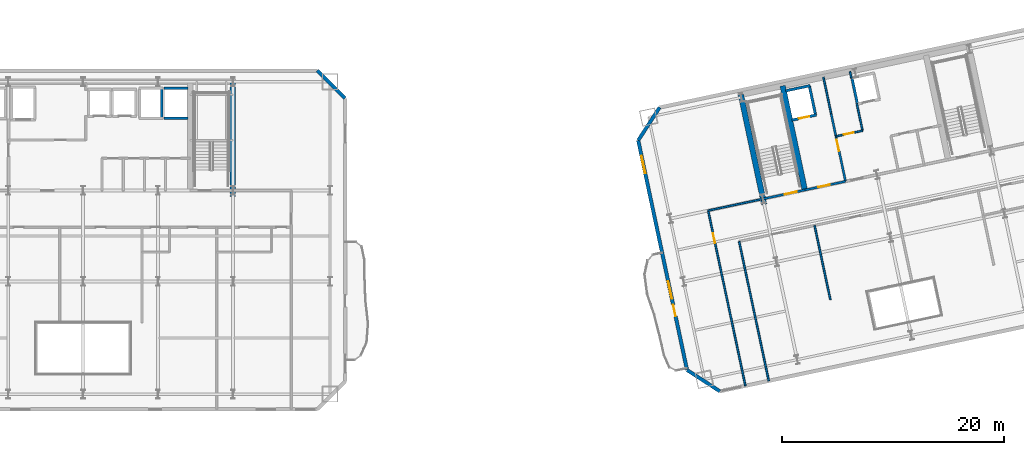
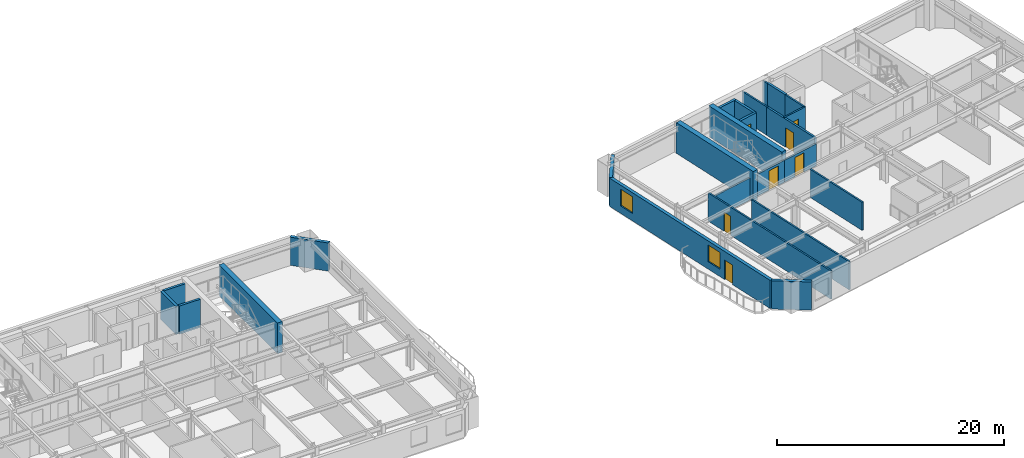
# One storey, part 7 of 13: 25 walls, 7 doors, 2 windows, 9 openings.
"""IFC4 building model written with IfcOpenShell, lengths in metres."""

import ifcopenshell
import ifcopenshell.guid

model = None  # the IFC model being written
_history = None  # IfcOwnerHistory: only IFC2X3 demands one
_inside = {}  # id of a spatial element -> (the spatial element, [elements in it])
_under = {}  # id of a project, library or spatial element -> (it, [spatial elements below it])
_declared = {}  # id of a project -> (the project, [libraries it declares])
_typed = {}  # id of a type object -> (the type object, [elements of that type])
_made_of = {}  # id of a material, layer set ... -> (it, [elements and type objects made of it])


def new_model(schema):
    """Start an empty IFC model of exactly this schema.

    Asked for "IFC4X3", IfcOpenShell would pick the latest addendum, in which some entities
    have other attributes; the version numbers below select the first issue.
    IFC2X3 requires an IfcOwnerHistory on every rooted entity: one is made here for all.
    """
    global model, _history
    if schema == "IFC4X3":
        model = ifcopenshell.file(schema_version=(4, 3, 0, 0))
    else:
        model = ifcopenshell.file(schema=schema)
    _inside.clear()
    _under.clear()
    _declared.clear()
    _typed.clear()
    _made_of.clear()
    _history = None
    if model.schema == "IFC2X3":
        org = make("IfcOrganization", Name="unknown")
        user = make(
            "IfcPersonAndOrganization",
            ThePerson=make("IfcPerson", FamilyName="unknown"),
            TheOrganization=org,
        )
        app = make(
            "IfcApplication",
            ApplicationDeveloper=org,
            Version="unknown",
            ApplicationFullName="unknown",
            ApplicationIdentifier="unknown",
        )
        _history = make(
            "IfcOwnerHistory",
            OwningUser=user,
            OwningApplication=app,
            ChangeAction="ADDED",
            CreationDate=0,
        )
    return model


def make(cls, **values):
    """One entity of the class cls with the attributes given. An attribute that is None is left unset."""
    return model.create_entity(
        cls, **{name: value for name, value in values.items() if value is not None}
    )


def rooted(cls, **values):
    """An entity with a GlobalId (a new one), such as an element, a storey or a relation."""
    return make(cls, GlobalId=ifcopenshell.guid.new(), OwnerHistory=_history, **values)


def si_unit(unit_type, name, prefix=None):
    """IfcSIUnit, for example si_unit("LENGTHUNIT", "METRE", prefix="MILLI")."""
    return make("IfcSIUnit", UnitType=unit_type, Prefix=prefix, Name=name)


def assignment(units):
    """IfcUnitAssignment: the units of a project."""
    return None if units is None else make("IfcUnitAssignment", Units=units)


def point(xyz):
    """IfcCartesianPoint."""
    return None if xyz is None else make("IfcCartesianPoint", Coordinates=xyz)


def direction(xyz):
    """IfcDirection."""
    return None if xyz is None else make("IfcDirection", DirectionRatios=xyz)


def frame(location, z_axis=None, x_axis=None):
    """IfcAxis2Placement3D, a coordinate frame: its origin and axes. An axis left out is left unset."""
    return make(
        "IfcAxis2Placement3D",
        Location=point(location),
        Axis=direction(z_axis),
        RefDirection=direction(x_axis),
    )


def frame_2d(location, x_axis=None):
    """IfcAxis2Placement2D, a coordinate frame in the plane: its origin and x axis."""
    return make(
        "IfcAxis2Placement2D", Location=point(location), RefDirection=direction(x_axis)
    )


def origin():
    """The frame at (0, 0, 0) with its axes left unset."""
    return frame((0.0, 0.0, 0.0))


def place(relative_to, where):
    """IfcLocalPlacement: puts the frame where relative to a parent placement (None: the world)."""
    return make(
        "IfcLocalPlacement", PlacementRelTo=relative_to, RelativePlacement=where
    )


def context(
    kind, dimensions, precision=None, world=None, true_north=None, identifier=None
):
    """IfcGeometricRepresentationContext, for example the 3D "Model" context."""
    return make(
        "IfcGeometricRepresentationContext",
        ContextIdentifier=identifier,
        ContextType=kind,
        CoordinateSpaceDimension=dimensions,
        Precision=precision,
        WorldCoordinateSystem=world,
        TrueNorth=true_north,
    )


def subcontext(parent, identifier, kind, view, scale=None):
    """IfcGeometricRepresentationSubContext, for example "Body" below "Model"."""
    return make(
        "IfcGeometricRepresentationSubContext",
        ContextIdentifier=identifier,
        ContextType=kind,
        ParentContext=parent,
        TargetScale=scale,
        TargetView=view,
    )


def project(units=None, contexts=None):
    """IfcProject with its units and contexts."""
    return rooted(
        "IfcProject",
        Name="project",
        RepresentationContexts=contexts,
        UnitsInContext=assignment(units),
    )


def spatial(cls, under=None, at=None, **own):
    """A site, building, storey or space (cls), placed at a placement, below another one or the project."""
    s = rooted(cls, ObjectPlacement=at, **own)
    if under is not None:
        _under.setdefault(under.id(), (under, []))[1].append(s)
    return s


def profile(cls, at=None, kind="AREA", **sizes):
    """A parametric profile (cls). Its sizes go by their IFC names, for example OverallWidth=200.0."""
    return make(cls, ProfileType=kind, Position=at, **sizes)


def rectangle(**sizes):
    """IfcRectangleProfileDef."""
    return profile("IfcRectangleProfileDef", **sizes)


def extrude(swept, where, along, depth):
    """IfcExtrudedAreaSolid: the profile swept, set in the frame where, extruded along a direction by depth."""
    return make(
        "IfcExtrudedAreaSolid",
        SweptArea=swept,
        Position=where,
        ExtrudedDirection=direction(along),
        Depth=depth,
    )


def shape(context_of_items, identifier, shape_type, items):
    """IfcShapeRepresentation: the items that make up one representation, for example the "Body"."""
    return make(
        "IfcShapeRepresentation",
        ContextOfItems=context_of_items,
        RepresentationIdentifier=identifier,
        RepresentationType=shape_type,
        Items=items,
    )


def material(Name=None, Category=None):
    """IfcMaterial."""
    return make("IfcMaterial", Name=Name, Category=Category)


def layer(
    of_material, thickness, ventilated=None, Name=None, Category=None, Priority=None
):
    """IfcMaterialLayer: one layer of a wall or slab, of a material (None: an air gap)."""
    return make(
        "IfcMaterialLayer",
        Material=of_material,
        LayerThickness=thickness,
        IsVentilated=ventilated,
        Name=Name,
        Category=Category,
        Priority=Priority,
    )


def layer_set(layers, Name=None):
    """IfcMaterialLayerSet."""
    return make("IfcMaterialLayerSet", MaterialLayers=layers, LayerSetName=Name)


def made_of(thing, what):
    """Note that an element or type object is made of a material, layer set ...; save() writes the relation."""
    if what is not None:
        _made_of.setdefault(what.id(), (what, []))[1].append(thing)
    return thing


def type_object(cls, material=None, **own):
    """A type object (cls), such as IfcWallType, which elements share."""
    return made_of(rooted(cls, **own), material)


def element(
    cls,
    number,
    at=None,
    inside=None,
    cuts=None,
    type_object=None,
    material=None,
    context=None,
    identifier="Body",
    shape_type=None,
    held_by="IfcProductDefinitionShape",
    body=None,
    shapes=None,
    **own,
):
    """One element of the class cls, such as IfcWall. Its Tag is "e" and its number.

    at: its placement. inside: the storey or other place that contains it. cuts: it is an
    opening in that element (IfcRelVoidsElement). A single representation is given by context,
    identifier, shape_type and body (its items); several are given by shapes. held_by: the class
    of the entity that holds the representations. save() writes the other relations.
    """
    e = rooted(cls, Tag="e%d" % number, ObjectPlacement=at, **own)
    if body is not None:
        shapes = [shape(context, identifier, shape_type, body)]
    if shapes is not None:
        e.Representation = make(held_by, Representations=shapes)
    if inside is not None:
        _inside.setdefault(inside.id(), (inside, []))[1].append(e)
    if cuts is not None:
        rooted(
            "IfcRelVoidsElement", RelatingBuildingElement=cuts, RelatedOpeningElement=e
        )
    if type_object is not None:
        _typed.setdefault(type_object.id(), (type_object, []))[1].append(e)
    return made_of(e, material)


def fill(opening, filler):
    """IfcRelFillsElement: the door or window that sits in an opening."""
    return rooted(
        "IfcRelFillsElement",
        RelatingOpeningElement=opening,
        RelatedBuildingElement=filler,
    )


def aggregate(whole, parts):
    """IfcRelAggregates: a whole, such as a stair, and the parts it consists of."""
    return rooted("IfcRelAggregates", RelatingObject=whole, RelatedObjects=parts)


def save(model, path):
    """Write the relations noted so far, then the file.

    IfcRelAggregates (storeys below a building ...), IfcRelContainedInSpatialStructure (elements
    in a storey), IfcRelDefinesByType, IfcRelAssociatesMaterial and IfcRelDeclares: one each for
    every whole, place, type object, material and project.
    """
    for whole, parts in _under.values():
        aggregate(whole, parts)
    for where, things in _inside.values():
        rooted(
            "IfcRelContainedInSpatialStructure",
            RelatedElements=things,
            RelatingStructure=where,
        )
    for kind, things in _typed.values():
        rooted("IfcRelDefinesByType", RelatedObjects=things, RelatingType=kind)
    for what, things in _made_of.values():
        rooted("IfcRelAssociatesMaterial", RelatedObjects=things, RelatingMaterial=what)
    for by, libraries in _declared.values():
        rooted("IfcRelDeclares", RelatingContext=by, RelatedDefinitions=libraries)
    model.write(path)


model = new_model("IFC4")

# Units and contexts
model_context = context("Model", 3, precision=1e-05, world=origin(), true_north=direction((0.0, 1.0)))
body_context = subcontext(model_context, "Body", "Model", "MODEL_VIEW")
ifc_project = project(units=[si_unit("LENGTHUNIT", "METRE"), si_unit("AREAUNIT", "SQUARE_METRE"), si_unit("VOLUMEUNIT", "CUBIC_METRE"), si_unit("PLANEANGLEUNIT", "RADIAN"), si_unit("MASSUNIT", "GRAM", prefix="KILO")], contexts=[model_context])

# Site, building, storey
site_placement = place(None, origin())
site = spatial("IfcSite", under=ifc_project, at=site_placement, CompositionType="ELEMENT")
building_placement = place(site_placement, origin())
building = spatial("IfcBuilding", under=site, at=building_placement, Name="Haevon Station Towers", CompositionType="ELEMENT")
storey_placement = place(building_placement, frame((0.0, 0.0, 96.60009765625)))
storey = spatial("IfcBuildingStorey", under=building, at=storey_placement, Name="L25", CompositionType="ELEMENT", Elevation=96.60009765625)

# Wall, opening, door
ifc_material_1 = material(Name="Gypsum board on steel stud", Category="steel")
ifc_layer_1 = layer(ifc_material_1, 0.199951171875)
ifc_layer_set_1 = layer_set([ifc_layer_1], Name="Gypsum board on steel stud")
wall_type_1 = type_object("IfcWallType", Name="WL-COR200", PredefinedType="PARTITIONING", material=ifc_layer_set_1)
wall_1_placement = place(storey_placement, frame((98.75244140625, 37.4423828125, 0.0), z_axis=(0.0, 0.0, 1.0), x_axis=(0.978143537786, 0.207930804564, 0.0)))
wall_1 = element("IfcWall", 1, at=wall_1_placement, inside=storey, type_object=wall_type_1, Name="WL-ST-ST3-L25", PredefinedType="PARTITIONING", context=body_context, shape_type="SweptSolid", body=[
    extrude(rectangle(XDim=3.85009765625, YDim=0.199951171875, at=frame_2d((1.925048828125, 0.0))), origin(), (0.0, 0.0, 1.0), 2.3798828125),
])
opening_1_placement = place(wall_1_placement, frame((2.0, 0.0, 0.0)))
opening_1 = element("IfcOpeningElement", 2, at=opening_1_placement, cuts=wall_1, Name="Opening DR-ST-ST3-L25", PredefinedType="OPENING", context=body_context, shape_type="SweptSolid", body=[
    extrude(rectangle(XDim=1.1201171875, YDim=2.10009765625, at=frame_2d((0.56005859375, 1.050048828125))), frame((0.0, 0.10986328125, 0.0), z_axis=(0.0, -1.0, 0.0), x_axis=(1.0, 0.0, 0.0)), (0.0, 0.0, 1.0), 0.219970703125),
])
ifc_material_2 = material(Name="Engineered oak timber", Category="wood")
door_type_1 = type_object("IfcDoorType", Name="DR-ST-1120", OperationType="NOTDEFINED", PredefinedType="DOOR", material=ifc_material_2)
door_1_placement = place(opening_1_placement, origin())
door_1 = element("IfcDoor", 3, at=door_1_placement, inside=storey, type_object=door_type_1, Name="L25 Escape Stair ST3 Fire Door", OperationType="SINGLE_SWING_RIGHT", OverallHeight=2.10009765625, OverallWidth=1.1201171875, PredefinedType="DOOR", context=body_context, shape_type="SweptSolid", body=[
    extrude(rectangle(XDim=1.1201171875, YDim=2.10009765625, at=frame_2d((0.56005859375, 1.050048828125))), frame((0.0, 0.02490234375, 0.0), z_axis=(0.0, -1.0, 0.0), x_axis=(1.0, 0.0, 0.0)), (0.0, 0.0, 1.0), 0.050048828125),
])
fill(opening_1, door_1)

wall_2_placement = place(storey_placement, frame((106.186279296875, 39.0224609375, 0.0), z_axis=(0.0, 0.0, 1.0), x_axis=(-0.207916691923, 0.978146537703, 0.0)))
wall_2 = element("IfcWall", 4, at=wall_2_placement, inside=storey, type_object=wall_type_1, Name="WL-T2FFL-L25-E", PredefinedType="PARTITIONING", context=body_context, shape_type="SweptSolid", body=[
    extrude(rectangle(XDim=6.35009765625, YDim=0.199951171875, at=frame_2d((3.175048828125, 0.0))), origin(), (0.0, 0.0, 1.0), 3.02978515625),
])
opening_2_placement = place(wall_2_placement, frame((2.800048828125, 0.0, 0.0)))
opening_2 = element("IfcOpeningElement", 5, at=opening_2_placement, cuts=wall_2, Name="Opening DR-T2FFL-L25-E", PredefinedType="OPENING", context=body_context, shape_type="SweptSolid", body=[
    extrude(rectangle(XDim=1.050048828125, YDim=2.10009765625, at=frame_2d((0.52490234375, 1.050048828125))), frame((0.0, 0.10986328125, 0.0), z_axis=(0.0, -1.0, 0.0), x_axis=(1.0, 0.0, 0.0)), (0.0, 0.0, 1.0), 0.219970703125),
])
door_type_2 = type_object("IfcDoorType", Name="DR-FD60-1050", OperationType="NOTDEFINED", PredefinedType="DOOR", material=ifc_material_2)
door_2_placement = place(opening_2_placement, origin())
door_2 = element("IfcDoor", 6, at=door_2_placement, inside=storey, type_object=door_type_2, Name="L25 Tower 2 Firefighting Lift Lobby Door E", OperationType="SINGLE_SWING_RIGHT", OverallHeight=2.10009765625, OverallWidth=1.050048828125, PredefinedType="DOOR", context=body_context, shape_type="SweptSolid", body=[
    extrude(rectangle(XDim=1.050048828125, YDim=2.10009765625, at=frame_2d((0.52490234375, 1.050048828125))), frame((0.0, 0.02490234375, 0.0), z_axis=(0.0, -1.0, 0.0), x_axis=(1.0, 0.0, 0.0)), (0.0, 0.0, 1.0), 0.050048828125),
])
fill(opening_2, door_2)

wall_3_placement = place(storey_placement, frame((102.518310546875, 38.242919921875, 0.0), z_axis=(0.0, 0.0, 1.0), x_axis=(0.978153555683, 0.20788367301, 0.0)))
wall_3 = element("IfcWall", 7, at=wall_3_placement, inside=storey, type_object=wall_type_1, Name="WL-T2FFL-L25-S", PredefinedType="PARTITIONING", context=body_context, shape_type="SweptSolid", body=[
    extrude(rectangle(XDim=3.75, YDim=0.199951171875, at=frame_2d((1.875, 0.0))), origin(), (0.0, 0.0, 1.0), 2.3798828125),
])
opening_3_placement = place(wall_3_placement, frame((1.25, 0.0, 0.0)))
opening_3 = element("IfcOpeningElement", 8, at=opening_3_placement, cuts=wall_3, Name="Opening DR-T2FFL-L25-S", PredefinedType="OPENING", context=body_context, shape_type="SweptSolid", body=[
    extrude(rectangle(XDim=1.050048828125, YDim=2.10009765625, at=frame_2d((0.52490234375, 1.050048828125))), frame((0.0, 0.10986328125, 0.0), z_axis=(0.0, -1.0, 0.0), x_axis=(1.0, 0.0, 0.0)), (0.0, 0.0, 1.0), 0.219970703125),
])
door_3_placement = place(opening_3_placement, origin())
door_3 = element("IfcDoor", 9, at=door_3_placement, inside=storey, type_object=door_type_2, Name="L25 Tower 2 Firefighting Lift Lobby Door S", OperationType="SINGLE_SWING_LEFT", OverallHeight=2.10009765625, OverallWidth=1.050048828125, PredefinedType="DOOR", context=body_context, shape_type="SweptSolid", body=[
    extrude(rectangle(XDim=1.050048828125, YDim=2.10009765625, at=frame_2d((0.52490234375, 1.050048828125))), frame((0.0, 0.02490234375, 0.0), z_axis=(0.0, -1.0, 0.0), x_axis=(1.0, 0.0, 0.0)), (0.0, 0.0, 1.0), 0.050048828125),
])
fill(opening_3, door_3)

# Walls
ifc_material_3 = material(Name="Concrete C60/75", Category="concrete")
ifc_layer_2 = layer(ifc_material_3, 0.5)
ifc_layer_set_2 = layer_set([ifc_layer_2], Name="Concrete C60/75")
wall_type_2 = type_object("IfcWallType", Name="WL-CR500", PredefinedType="SHEAR", material=ifc_layer_set_2)
wall_4_placement = place(storey_placement, frame((51.0, 37.679931640625, 0.0), z_axis=(0.0, 0.0, 1.0), x_axis=(0.0, 1.0, 0.0)))
element("IfcWall", 10, at=wall_4_placement, inside=storey, type_object=wall_type_2, Name="WL-T1CR-L25-E", PredefinedType="SHEAR", context=body_context, shape_type="SweptSolid", body=[
    extrude(rectangle(XDim=10.320068359375, YDim=0.5, at=frame_2d((5.16015625, 0.0))), origin(), (0.0, 0.0, 1.0), 3.2998046875),
])
wall_5_placement = place(storey_placement, frame((98.8603515625, 36.933837890625, 0.0), z_axis=(0.0, 0.0, 1.0), x_axis=(-0.20790924889, 0.978148119778, 0.0)))
element("IfcWall", 11, at=wall_5_placement, inside=storey, type_object=wall_type_2, Name="WL-T2CR-L25-W", PredefinedType="SHEAR", context=body_context, shape_type="SweptSolid", body=[
    extrude(rectangle(XDim=10.119873046875, YDim=0.5, at=frame_2d((5.06005859375, 0.0))), origin(), (0.0, 0.0, 1.0), 3.2998046875),
])
wall_6_placement = place(storey_placement, frame((102.518310546875, 38.242919921875, 0.0), z_axis=(0.0, 0.0, 1.0), x_axis=(-0.207927495108, 0.978144241295, 0.0)))
element("IfcWall", 12, at=wall_6_placement, inside=storey, type_object=wall_type_2, Name="WL-T2CR-L25-M1", PredefinedType="SHEAR", context=body_context, shape_type="SweptSolid", body=[
    extrude(rectangle(XDim=9.599853515625, YDim=0.5, at=frame_2d((4.7998046875, 0.0))), origin(), (0.0, 0.0, 1.0), 3.2998046875),
])
ifc_material_4 = material(Name="Precast concrete C45/55", Category="concrete")
ifc_layer_3 = layer(ifc_material_4, 0.320068359375)
ifc_layer_set_3 = layer_set([ifc_layer_3], Name="Precast concrete C45/55")
wall_type_3 = type_object("IfcWallType", Name="WL-EXT-PIER320", PredefinedType="SOLIDWALL", material=ifc_layer_set_3)
for number, where, z_axis, x_axis, name in (
    (13, (58.60009765625, 49.0, 0.0), (0.0, 0.0, 1.0), (0.707106781187, -0.707106781187, 0.0), "WL-T1-L25-NEC"),
    (14, (94.871826171875, 20.106689453125, 0.0), (0.0, 0.0, 1.0), (-0.838640767148, 0.544684921471, 0.0), "WL-T2-L25-SWC"),
):
    element("IfcWall", number, at=place(storey_placement, frame(where, z_axis=z_axis, x_axis=x_axis)), inside=storey, type_object=wall_type_3, Name=name, PredefinedType="SOLIDWALL", context=body_context, shape_type="SweptSolid", body=[
        extrude(rectangle(XDim=3.53564453125, YDim=0.320068359375, at=frame_2d((1.767822265625, 0.0))), origin(), (0.0, 0.0, 1.0), 3.02978515625),
    ])

# Wall, openings, door, windows
wall_7_placement = place(storey_placement, frame((91.90673828125, 22.032470703125, 0.0), z_axis=(0.0, 0.0, 1.0), x_axis=(-0.207918258146, 0.978146204782, 0.0)))
wall_7 = element("IfcWall", 15, at=wall_7_placement, inside=storey, type_object=wall_type_3, Name="WL-T2-L25-W", PredefinedType="SOLIDWALL", context=body_context, shape_type="SweptSolid", body=[
    extrude(rectangle(XDim=21.14990234375, YDim=0.320068359375, at=frame_2d((10.574951171875, 0.0))), origin(), (0.0, 0.0, 1.0), 3.02978515625),
])
opening_4_placement = place(wall_7_placement, frame((4.949951171875, 0.0, 0.0)))
opening_4 = element("IfcOpeningElement", 16, at=opening_4_placement, cuts=wall_7, Name="Opening DR-T2-SCAL-L25-W", PredefinedType="OPENING", context=body_context, shape_type="SweptSolid", body=[
    extrude(rectangle(XDim=1.050048828125, YDim=2.10009765625, at=frame_2d((0.52490234375, 1.050048828125))), frame((0.0, 0.169921875, 0.0), z_axis=(0.0, -1.0, 0.0), x_axis=(1.0, 0.0, 0.0)), (0.0, 0.0, 1.0), 0.340087890625),
])
opening_5_placement = place(wall_7_placement, frame((6.569580078125, 0.0, 0.800048828125)))
opening_5 = element("IfcOpeningElement", 17, at=opening_5_placement, cuts=wall_7, Name="Opening WN-END160", PredefinedType="OPENING", context=body_context, shape_type="SweptSolid", body=[
    extrude(rectangle(XDim=1.60009765625, YDim=1.800048828125, at=frame_2d((0.800048828125, 0.89990234375))), frame((0.0, 0.169921875, 0.0), z_axis=(0.0, -1.0, 0.0), x_axis=(1.0, 0.0, 0.0)), (0.0, 0.0, 1.0), 0.340087890625),
])
opening_6_placement = place(wall_7_placement, frame((18.10888671875, 0.0, 0.800048828125)))
opening_6 = element("IfcOpeningElement", 18, at=opening_6_placement, cuts=wall_7, Name="Opening WN-END160", PredefinedType="OPENING", context=body_context, shape_type="SweptSolid", body=[
    extrude(rectangle(XDim=1.60009765625, YDim=1.800048828125, at=frame_2d((0.800048828125, 0.89990234375))), frame((0.0, 0.169921875, 0.0), z_axis=(0.0, -1.0, 0.0), x_axis=(1.0, 0.0, 0.0)), (0.0, 0.0, 1.0), 0.340087890625),
])
ifc_material_5 = material(Name="Thermally broken anodised aluminium and laminated safety glass", Category="aluminium")
door_type_3 = type_object("IfcDoorType", Name="DR-BALC-1050", OperationType="NOTDEFINED", PredefinedType="DOOR", material=ifc_material_5)
door_4_placement = place(opening_4_placement, origin())
door_4 = element("IfcDoor", 19, at=door_4_placement, inside=storey, type_object=door_type_3, Name="Tower 2 L25 West Scalloped Balcony Door", OperationType="SINGLE_SWING_LEFT", OverallHeight=2.10009765625, OverallWidth=1.050048828125, PredefinedType="DOOR", context=body_context, shape_type="SweptSolid", body=[
    extrude(rectangle(XDim=1.050048828125, YDim=2.10009765625, at=frame_2d((0.52490234375, 1.050048828125))), frame((0.0, 0.02490234375, 0.0), z_axis=(0.0, -1.0, 0.0), x_axis=(1.0, 0.0, 0.0)), (0.0, 0.0, 1.0), 0.050048828125),
])
fill(opening_4, door_4)
ifc_material_6 = material(Name="Low-E triple glazing in thermally broken aluminium", Category="aluminium")
window_type = type_object("IfcWindowType", Name="WN-END160", PartitioningType="SINGLE_PANEL", PredefinedType="WINDOW", material=ifc_material_6)
window_1_placement = place(opening_5_placement, origin())
window_1 = element("IfcWindow", 20, at=window_1_placement, inside=storey, type_object=window_type, Name="WN-T2-L25-W01", OverallHeight=1.800048828125, OverallWidth=1.60009765625, PartitioningType="SINGLE_PANEL", PredefinedType="WINDOW", context=body_context, shape_type="SweptSolid", body=[
    extrude(rectangle(XDim=1.60009765625, YDim=1.800048828125, at=frame_2d((0.800048828125, 0.89990234375))), frame((0.0, 0.030029296875, 0.0), z_axis=(0.0, -1.0, 0.0), x_axis=(1.0, 0.0, 0.0)), (0.0, 0.0, 1.0), 0.06005859375),
])
fill(opening_5, window_1)
window_2_placement = place(opening_6_placement, origin())
window_2 = element("IfcWindow", 21, at=window_2_placement, inside=storey, type_object=window_type, Name="WN-T2-L25-W02", OverallHeight=1.800048828125, OverallWidth=1.60009765625, PartitioningType="SINGLE_PANEL", PredefinedType="WINDOW", context=body_context, shape_type="SweptSolid", body=[
    extrude(rectangle(XDim=1.60009765625, YDim=1.800048828125, at=frame_2d((0.800048828125, 0.89990234375))), frame((0.0, 0.030029296875, 0.0), z_axis=(0.0, -1.0, 0.0), x_axis=(1.0, 0.0, 0.0)), (0.0, 0.0, 1.0), 0.06005859375),
])
fill(opening_6, window_2)

# Walls
wall_8_placement = place(storey_placement, frame((87.50927734375, 42.72021484375, 0.0), z_axis=(0.0, 0.0, 1.0), x_axis=(0.544684921471, 0.838640767148, 0.0)))
element("IfcWall", 22, at=wall_8_placement, inside=storey, type_object=wall_type_3, Name="WL-T2-L25-NWC", PredefinedType="SOLIDWALL", context=body_context, shape_type="SweptSolid", body=[
    extrude(rectangle(XDim=3.53564453125, YDim=0.320068359375, at=frame_2d((1.767822265625, 0.0))), origin(), (0.0, 0.0, 1.0), 3.02978515625),
])
ifc_layer_4 = layer(ifc_material_1, 0.159912109375)
ifc_layer_set_4 = layer_set([ifc_layer_4], Name="Gypsum board on steel stud")
wall_type_4 = type_object("IfcWallType", Name="WL-PRT160", PredefinedType="PARTITIONING", material=ifc_layer_set_4)
wall_9_placement = place(storey_placement, frame((104.88671875, 45.135986328125, 0.0), z_axis=(0.0, 0.0, 1.0), x_axis=(-0.207846553267, 0.978161443881, 0.0)))
element("IfcWall", 23, at=wall_9_placement, inside=storey, type_object=wall_type_4, Name="WL-T2CW-L25-01", PredefinedType="PARTITIONING", context=body_context, shape_type="SweptSolid", body=[
    extrude(rectangle(XDim=3.35009765625, YDim=0.159912109375, at=frame_2d((1.675048828125, 0.0))), origin(), (0.0, 0.0, 1.0), 3.02978515625),
])

# Wall, opening, door
wall_10_placement = place(storey_placement, frame((105.323486328125, 43.081787109375, 0.0), z_axis=(0.0, 0.0, 1.0), x_axis=(0.978136559131, 0.207963630695, 0.0)))
wall_10 = element("IfcWall", 24, at=wall_10_placement, inside=storey, type_object=wall_type_4, Name="WL-T2CW-L25-02", PredefinedType="PARTITIONING", context=body_context, shape_type="SweptSolid", body=[
    extrude(rectangle(XDim=2.449951171875, YDim=0.159912109375, at=frame_2d((1.22509765625, 0.0))), origin(), (0.0, 0.0, 1.0), 3.02978515625),
])
opening_7_placement = place(wall_10_placement, frame((0.719970703125, 0.0, 0.0)))
opening_7 = element("IfcOpeningElement", 25, at=opening_7_placement, cuts=wall_10, Name="Opening DR-WL-T2CW-L25-02-1", PredefinedType="OPENING", context=body_context, shape_type="SweptSolid", body=[
    extrude(rectangle(XDim=0.89990234375, YDim=2.10009765625, at=frame_2d((0.449951171875, 1.050048828125))), frame((0.0, 0.08984375, 0.0), z_axis=(0.0, -1.0, 0.0), x_axis=(1.0, 0.0, 0.0)), (0.0, 0.0, 1.0), 0.179931640625),
])
door_type_4 = type_object("IfcDoorType", Name="DR-FD60-900", OperationType="NOTDEFINED", PredefinedType="DOOR", material=ifc_material_2)
door_5_placement = place(opening_7_placement, origin())
door_5 = element("IfcDoor", 26, at=door_5_placement, inside=storey, type_object=door_type_4, Name="L25 Tower 2 Core Room Door 2-1", OperationType="SINGLE_SWING_RIGHT", OverallHeight=2.10009765625, OverallWidth=0.89990234375, PredefinedType="DOOR", context=body_context, shape_type="SweptSolid", body=[
    extrude(rectangle(XDim=0.89990234375, YDim=2.10009765625, at=frame_2d((0.449951171875, 1.050048828125))), frame((0.0, 0.02490234375, 0.0), z_axis=(0.0, -1.0, 0.0), x_axis=(1.0, 0.0, 0.0)), (0.0, 0.0, 1.0), 0.050048828125),
])
fill(opening_7, door_5)

# Walls
wall_11_placement = place(storey_placement, frame((107.719970703125, 43.59130859375, 0.0), z_axis=(0.0, 0.0, 1.0), x_axis=(-0.207914818928, 0.978146935828, 0.0)))
element("IfcWall", 27, at=wall_11_placement, inside=storey, type_object=wall_type_4, Name="WL-T2CW-L25-03", PredefinedType="PARTITIONING", context=body_context, shape_type="SweptSolid", body=[
    extrude(rectangle(XDim=2.5, YDim=0.159912109375, at=frame_2d((1.25, 0.0))), origin(), (0.0, 0.0, 1.0), 3.02978515625),
])
wall_12_placement = place(storey_placement, frame((106.721923828125, 48.286376953125, 0.0), z_axis=(0.0, 0.0, 1.0), x_axis=(-0.208092352933, 0.978109182377, 0.0)))
element("IfcWall", 28, at=wall_12_placement, inside=storey, type_object=wall_type_4, Name="WL-T2CW-L25-04", PredefinedType="PARTITIONING", context=body_context, shape_type="SweptSolid", body=[
    extrude(rectangle(XDim=0.64990234375, YDim=0.159912109375, at=frame_2d((0.324951171875, 0.0))), origin(), (0.0, 0.0, 1.0), 3.02978515625),
])
wall_13_placement = place(storey_placement, frame((99.2734375, 21.04248046875, 0.0), z_axis=(0.0, 0.0, 1.0), x_axis=(-0.207910791646, 0.978147791858, 0.0)))
element("IfcWall", 29, at=wall_13_placement, inside=storey, type_object=wall_type_4, Name="WL-T2PT-L25-01", PredefinedType="PARTITIONING", context=body_context, shape_type="SweptSolid", body=[
    extrude(rectangle(XDim=12.849853515625, YDim=0.159912109375, at=frame_2d((6.4248046875, 0.0))), origin(), (0.0, 0.0, 1.0), 3.02978515625),
])
wall_14_placement = place(storey_placement, frame((93.812744140625, 36.392578125, 0.0), z_axis=(0.0, 0.0, 1.0), x_axis=(0.978154058851, 0.207881305445, 0.0)))
element("IfcWall", 30, at=wall_14_placement, inside=storey, type_object=wall_type_4, Name="WL-T2PT-L25-02", PredefinedType="PARTITIONING", context=body_context, shape_type="SweptSolid", body=[
    extrude(rectangle(XDim=5.050048828125, YDim=0.159912109375, at=frame_2d((2.52490234375, 0.0))), origin(), (0.0, 0.0, 1.0), 2.3798828125),
])

# Wall, opening, door
wall_15_placement = place(storey_placement, frame((97.17041015625, 20.595458984375, 0.0), z_axis=(0.0, 0.0, 1.0), x_axis=(-0.20790485933, 0.978149052786, 0.0)))
wall_15 = element("IfcWall", 31, at=wall_15_placement, inside=storey, type_object=wall_type_4, Name="WL-T2PT-L25-04", PredefinedType="PARTITIONING", context=body_context, shape_type="SweptSolid", body=[
    extrude(rectangle(XDim=16.14990234375, YDim=0.159912109375, at=frame_2d((8.074951171875, 0.0))), origin(), (0.0, 0.0, 1.0), 3.02978515625),
])
opening_8_placement = place(wall_15_placement, frame((13.169921875, 0.0, 0.0)))
opening_8 = element("IfcOpeningElement", 32, at=opening_8_placement, cuts=wall_15, Name="Opening DR-WL-T2PT-L25-04-01", PredefinedType="OPENING", context=body_context, shape_type="SweptSolid", body=[
    extrude(rectangle(XDim=0.89990234375, YDim=2.050048828125, at=frame_2d((0.449951171875, 1.02490234375))), frame((0.0, 0.08984375, 0.0), z_axis=(0.0, -1.0, 0.0), x_axis=(1.0, 0.0, 0.0)), (0.0, 0.0, 1.0), 0.179931640625),
])
door_type_5 = type_object("IfcDoorType", Name="DR-INT-900", OperationType="NOTDEFINED", PredefinedType="DOOR", material=ifc_material_2)
door_6_placement = place(opening_8_placement, origin())
door_6 = element("IfcDoor", 33, at=door_6_placement, inside=storey, type_object=door_type_5, Name="L25 Tower 2 Room Door 4-1", OperationType="SINGLE_SWING_LEFT", OverallHeight=2.050048828125, OverallWidth=0.89990234375, PredefinedType="DOOR", context=body_context, shape_type="SweptSolid", body=[
    extrude(rectangle(XDim=0.89990234375, YDim=2.050048828125, at=frame_2d((0.449951171875, 1.02490234375))), frame((0.0, 0.02490234375, 0.0), z_axis=(0.0, -1.0, 0.0), x_axis=(1.0, 0.0, 0.0)), (0.0, 0.0, 1.0), 0.050048828125),
])
fill(opening_8, door_6)

# Walls
wall_16_placement = place(storey_placement, frame((104.822265625, 28.35595703125, 0.0), z_axis=(0.0, 0.0, 1.0), x_axis=(-0.207932073521, 0.978143268035, 0.0)))
element("IfcWall", 34, at=wall_16_placement, inside=storey, type_object=wall_type_4, Name="WL-T2PT-L25-10", PredefinedType="PARTITIONING", context=body_context, shape_type="SweptSolid", body=[
    extrude(rectangle(XDim=6.849853515625, YDim=0.159912109375, at=frame_2d((3.4248046875, 0.0))), origin(), (0.0, 0.0, 1.0), 3.02978515625),
])
ifc_material_7 = material(Name="Concrete C40/50", Category="concrete")
ifc_layer_5 = layer(ifc_material_7, 0.239990234375)
ifc_layer_set_5 = layer_set([ifc_layer_5], Name="Concrete C40/50")
wall_type_5 = type_object("IfcWallType", Name="WL-SHF240", PredefinedType="PARTITIONING", material=ifc_layer_set_5)
wall_17_placement = place(storey_placement, frame((44.60009765625, 44.699951171875, 0.0), z_axis=(0.0, 0.0, 1.0), x_axis=(0.0, 1.0, 0.0)))
element("IfcWall", 35, at=wall_17_placement, inside=storey, type_object=wall_type_5, Name="WL-SHF-PL5-L25-E", PredefinedType="PARTITIONING", context=body_context, shape_type="SweptSolid", body=[
    extrude(rectangle(XDim=2.699951171875, YDim=0.239990234375, at=frame_2d((1.35009765625, 0.0))), origin(), (0.0, 0.0, 1.0), 3.02978515625),
])
for number, where, z_axis, x_axis, name in (
    (36, (44.77001953125, 44.699951171875, 0.0), (0.0, 0.0, 1.0), (1.0, 0.0, 0.0), "WL-SHF-PL6-L25"),
    (37, (44.77001953125, 47.39990234375, 0.0), (0.0, 0.0, 1.0), (1.0, 0.0, 0.0), "WL-SHF-PL6-L25-N"),
):
    element("IfcWall", number, at=place(storey_placement, frame(where, z_axis=z_axis, x_axis=x_axis)), inside=storey, type_object=wall_type_5, Name=name, PredefinedType="PARTITIONING", context=body_context, shape_type="SweptSolid", body=[
        extrude(rectangle(XDim=2.159912109375, YDim=0.239990234375, at=frame_2d((1.080078125, 0.0))), origin(), (0.0, 0.0, 1.0), 3.02978515625),
    ])

# Wall, opening, door
wall_18_placement = place(storey_placement, frame((101.353759765625, 44.538330078125, 0.0), z_axis=(0.0, 0.0, 1.0), x_axis=(0.978141002414, 0.207942731049, 0.0)))
wall_18 = element("IfcWall", 38, at=wall_18_placement, inside=storey, type_object=wall_type_5, Name="WL-SHF-FL2-L25", PredefinedType="PARTITIONING", context=body_context, shape_type="SweptSolid", body=[
    extrude(rectangle(XDim=2.260009765625, YDim=0.239990234375, at=frame_2d((1.1298828125, 0.0))), origin(), (0.0, 0.0, 1.0), 3.02978515625),
])
opening_9_placement = place(wall_18_placement, frame((0.655029296875, 0.0, 0.0)))
opening_9 = element("IfcOpeningElement", 39, at=opening_9_placement, cuts=wall_18, Name="Opening LD-FL2-L25", PredefinedType="OPENING", context=body_context, shape_type="SweptSolid", body=[
    extrude(rectangle(XDim=0.949951171875, YDim=2.14990234375, at=frame_2d((0.47509765625, 1.074951171875))), frame((0.0, 0.1298828125, 0.0), z_axis=(0.0, -1.0, 0.0), x_axis=(1.0, 0.0, 0.0)), (0.0, 0.0, 1.0), 0.260009765625),
])
ifc_material_8 = material(Name="Stainless steel and rated core", Category="steel")
door_type_6 = type_object("IfcDoorType", Name="LD-FL950", OperationType="SLIDING_TO_LEFT", PredefinedType="DOOR", material=ifc_material_8)
door_7_placement = place(opening_9_placement, origin())
door_7 = element("IfcDoor", 40, at=door_7_placement, inside=storey, type_object=door_type_6, Name="L25 Lift FL2 Sliding Landing Door", OperationType="SLIDING_TO_LEFT", OverallHeight=2.14990234375, OverallWidth=0.949951171875, PredefinedType="DOOR", context=body_context, shape_type="SweptSolid", body=[
    extrude(rectangle(XDim=0.949951171875, YDim=2.14990234375, at=frame_2d((0.47509765625, 1.074951171875))), frame((0.0, 0.02490234375, 0.0), z_axis=(0.0, -1.0, 0.0), x_axis=(1.0, 0.0, 0.0)), (0.0, 0.0, 1.0), 0.050048828125),
])
fill(opening_9, door_7)

# Walls
wall_19_placement = place(storey_placement, frame((100.79248046875, 47.179443359375, 0.0), z_axis=(0.0, 0.0, 1.0), x_axis=(0.978162968872, 0.207839376268, 0.0)))
element("IfcWall", 41, at=wall_19_placement, inside=storey, type_object=wall_type_5, Name="WL-SHF-FL2-L25-N", PredefinedType="PARTITIONING", context=body_context, shape_type="SweptSolid", body=[
    extrude(rectangle(XDim=2.260009765625, YDim=0.239990234375, at=frame_2d((1.1298828125, 0.0))), origin(), (0.0, 0.0, 1.0), 3.02978515625),
])
wall_20_placement = place(storey_placement, frame((103.486328125, 44.99169921875, 0.0), z_axis=(0.0, 0.0, 1.0), x_axis=(-0.207978798957, 0.978133334052, 0.0)))
element("IfcWall", 42, at=wall_20_placement, inside=storey, type_object=wall_type_5, Name="WL-SHF-FL2-L25-E", PredefinedType="PARTITIONING", context=body_context, shape_type="SweptSolid", body=[
    extrude(rectangle(XDim=2.699951171875, YDim=0.239990234375, at=frame_2d((1.35009765625, 0.0))), origin(), (0.0, 0.0, 1.0), 3.02978515625),
])
wall_21_placement = place(storey_placement, frame((107.259521484375, 45.998046875, 0.0), z_axis=(0.0, 0.0, 1.0), x_axis=(-0.207917150959, 0.978146440129, 0.0)))
element("IfcWall", 43, at=wall_21_placement, inside=storey, type_object=wall_type_5, Name="WL-SHF-PL8-L25-W", PredefinedType="PARTITIONING", context=body_context, shape_type="SweptSolid", body=[
    extrude(rectangle(XDim=2.400146484375, YDim=0.239990234375, at=frame_2d((1.2001953125, 0.0))), origin(), (0.0, 0.0, 1.0), 3.02978515625),
])

save(model, "model.ifc")
